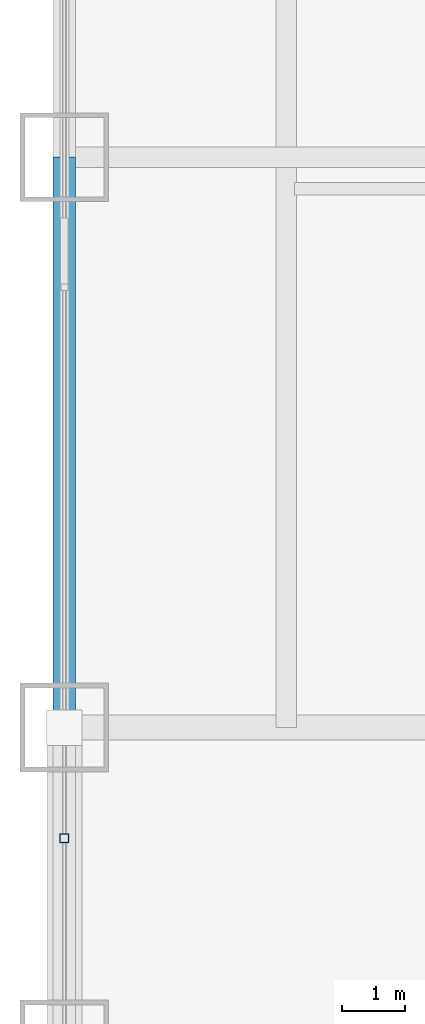
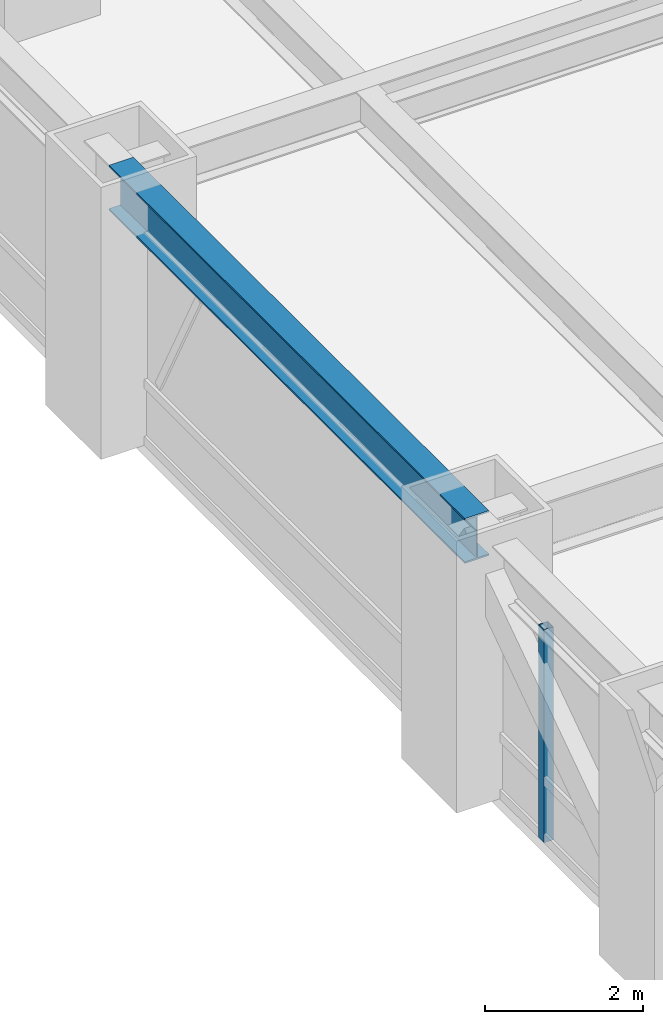
# One storey, part 12 of 28: 1 beam, 1 member, 1 element without a shape of its own.
"""IFC4 building model written with IfcOpenShell, lengths in metres."""

import ifcopenshell
import ifcopenshell.guid

model = None  # the IFC model being written
_history = None  # IfcOwnerHistory: only IFC2X3 demands one
_inside = {}  # id of a spatial element -> (the spatial element, [elements in it])
_under = {}  # id of a project, library or spatial element -> (it, [spatial elements below it])
_declared = {}  # id of a project -> (the project, [libraries it declares])
_typed = {}  # id of a type object -> (the type object, [elements of that type])
_made_of = {}  # id of a material, layer set ... -> (it, [elements and type objects made of it])


def new_model(schema):
    """Start an empty IFC model of exactly this schema.

    Asked for "IFC4X3", IfcOpenShell would pick the latest addendum, in which some entities
    have other attributes; the version numbers below select the first issue.
    IFC2X3 requires an IfcOwnerHistory on every rooted entity: one is made here for all.
    """
    global model, _history
    if schema == "IFC4X3":
        model = ifcopenshell.file(schema_version=(4, 3, 0, 0))
    else:
        model = ifcopenshell.file(schema=schema)
    _inside.clear()
    _under.clear()
    _declared.clear()
    _typed.clear()
    _made_of.clear()
    _history = None
    if model.schema == "IFC2X3":
        org = make("IfcOrganization", Name="unknown")
        user = make(
            "IfcPersonAndOrganization",
            ThePerson=make("IfcPerson", FamilyName="unknown"),
            TheOrganization=org,
        )
        app = make(
            "IfcApplication",
            ApplicationDeveloper=org,
            Version="unknown",
            ApplicationFullName="unknown",
            ApplicationIdentifier="unknown",
        )
        _history = make(
            "IfcOwnerHistory",
            OwningUser=user,
            OwningApplication=app,
            ChangeAction="ADDED",
            CreationDate=0,
        )
    return model


def make(cls, **values):
    """One entity of the class cls with the attributes given. An attribute that is None is left unset."""
    return model.create_entity(
        cls, **{name: value for name, value in values.items() if value is not None}
    )


def rooted(cls, **values):
    """An entity with a GlobalId (a new one), such as an element, a storey or a relation."""
    return make(cls, GlobalId=ifcopenshell.guid.new(), OwnerHistory=_history, **values)


def si_unit(unit_type, name, prefix=None):
    """IfcSIUnit, for example si_unit("LENGTHUNIT", "METRE", prefix="MILLI")."""
    return make("IfcSIUnit", UnitType=unit_type, Prefix=prefix, Name=name)


def assignment(units):
    """IfcUnitAssignment: the units of a project."""
    return None if units is None else make("IfcUnitAssignment", Units=units)


def point(xyz):
    """IfcCartesianPoint."""
    return None if xyz is None else make("IfcCartesianPoint", Coordinates=xyz)


def direction(xyz):
    """IfcDirection."""
    return None if xyz is None else make("IfcDirection", DirectionRatios=xyz)


def frame(location, z_axis=None, x_axis=None):
    """IfcAxis2Placement3D, a coordinate frame: its origin and axes. An axis left out is left unset."""
    return make(
        "IfcAxis2Placement3D",
        Location=point(location),
        Axis=direction(z_axis),
        RefDirection=direction(x_axis),
    )


def frame_2d(location, x_axis=None):
    """IfcAxis2Placement2D, a coordinate frame in the plane: its origin and x axis."""
    return make(
        "IfcAxis2Placement2D", Location=point(location), RefDirection=direction(x_axis)
    )


def origin():
    """The frame at (0, 0, 0) with its axes left unset."""
    return frame((0.0, 0.0, 0.0))


def origin_2d():
    """The frame at (0, 0) in the plane with its x axis left unset."""
    return frame_2d((0.0, 0.0))


def place(relative_to, where):
    """IfcLocalPlacement: puts the frame where relative to a parent placement (None: the world)."""
    return make(
        "IfcLocalPlacement", PlacementRelTo=relative_to, RelativePlacement=where
    )


def context(
    kind, dimensions, precision=None, world=None, true_north=None, identifier=None
):
    """IfcGeometricRepresentationContext, for example the 3D "Model" context."""
    return make(
        "IfcGeometricRepresentationContext",
        ContextIdentifier=identifier,
        ContextType=kind,
        CoordinateSpaceDimension=dimensions,
        Precision=precision,
        WorldCoordinateSystem=world,
        TrueNorth=true_north,
    )


def subcontext(parent, identifier, kind, view, scale=None):
    """IfcGeometricRepresentationSubContext, for example "Body" below "Model"."""
    return make(
        "IfcGeometricRepresentationSubContext",
        ContextIdentifier=identifier,
        ContextType=kind,
        ParentContext=parent,
        TargetScale=scale,
        TargetView=view,
    )


def project(units=None, contexts=None):
    """IfcProject with its units and contexts."""
    return rooted(
        "IfcProject",
        Name="project",
        RepresentationContexts=contexts,
        UnitsInContext=assignment(units),
    )


def spatial(cls, under=None, at=None, **own):
    """A site, building, storey or space (cls), placed at a placement, below another one or the project."""
    s = rooted(cls, ObjectPlacement=at, **own)
    if under is not None:
        _under.setdefault(under.id(), (under, []))[1].append(s)
    return s


def profile(cls, at=None, kind="AREA", **sizes):
    """A parametric profile (cls). Its sizes go by their IFC names, for example OverallWidth=200.0."""
    return make(cls, ProfileType=kind, Position=at, **sizes)


def hollow_rectangle(**sizes):
    """IfcRectangleHollowProfileDef."""
    return profile("IfcRectangleHollowProfileDef", **sizes)


def i_section(**sizes):
    """IfcIShapeProfileDef."""
    return profile("IfcIShapeProfileDef", **sizes)


def extrude(swept, where, along, depth):
    """IfcExtrudedAreaSolid: the profile swept, set in the frame where, extruded along a direction by depth."""
    return make(
        "IfcExtrudedAreaSolid",
        SweptArea=swept,
        Position=where,
        ExtrudedDirection=direction(along),
        Depth=depth,
    )


def shape(context_of_items, identifier, shape_type, items):
    """IfcShapeRepresentation: the items that make up one representation, for example the "Body"."""
    return make(
        "IfcShapeRepresentation",
        ContextOfItems=context_of_items,
        RepresentationIdentifier=identifier,
        RepresentationType=shape_type,
        Items=items,
    )


def source(mapping_origin, context_of_items, identifier, shape_type, items):
    """IfcRepresentationMap: a shape defined once, which mapped items show again and again."""
    return make(
        "IfcRepresentationMap",
        MappingOrigin=mapping_origin,
        MappedRepresentation=shape(context_of_items, identifier, shape_type, items),
    )


def transform(
    local_origin,
    x_axis=None,
    y_axis=None,
    z_axis=None,
    scale=None,
    scale2=None,
    scale3=None,
    uniform=True,
):
    """IfcCartesianTransformationOperator3D, or its non-uniform kind. x_axis, y_axis, z_axis: its Axis1, 2, 3."""
    if uniform:
        return make(
            "IfcCartesianTransformationOperator3D",
            Axis1=direction(x_axis),
            Axis2=direction(y_axis),
            LocalOrigin=point(local_origin),
            Scale=scale,
            Axis3=direction(z_axis),
        )
    return make(
        "IfcCartesianTransformationOperator3DnonUniform",
        Axis1=direction(x_axis),
        Axis2=direction(y_axis),
        LocalOrigin=point(local_origin),
        Scale=scale,
        Axis3=direction(z_axis),
        Scale2=scale2,
        Scale3=scale3,
    )


def mapped(mapping_source, mapping_target):
    """IfcMappedItem: shows the shape of a source again, moved by a transform."""
    return make(
        "IfcMappedItem", MappingSource=mapping_source, MappingTarget=mapping_target
    )


def material(Name=None, Category=None):
    """IfcMaterial."""
    return make("IfcMaterial", Name=Name, Category=Category)


def material_profile(
    of_material, cross_section, Name=None, Category=None, Priority=None
):
    """IfcMaterialProfile: a cross section and its material."""
    return make(
        "IfcMaterialProfile",
        Name=Name,
        Material=of_material,
        Profile=cross_section,
        Priority=Priority,
        Category=Category,
    )


def profile_set(profiles, Name=None, composite=None):
    """IfcMaterialProfileSet."""
    return make(
        "IfcMaterialProfileSet",
        Name=Name,
        MaterialProfiles=profiles,
        CompositeProfile=composite,
    )


def made_of(thing, what):
    """Note that an element or type object is made of a material, layer set ...; save() writes the relation."""
    if what is not None:
        _made_of.setdefault(what.id(), (what, []))[1].append(thing)
    return thing


def type_object(cls, material=None, **own):
    """A type object (cls), such as IfcWallType, which elements share."""
    return made_of(rooted(cls, **own), material)


def element(
    cls,
    number,
    at=None,
    inside=None,
    cuts=None,
    type_object=None,
    material=None,
    context=None,
    identifier="Body",
    shape_type=None,
    held_by="IfcProductDefinitionShape",
    body=None,
    shapes=None,
    **own,
):
    """One element of the class cls, such as IfcWall. Its Tag is "e" and its number.

    at: its placement. inside: the storey or other place that contains it. cuts: it is an
    opening in that element (IfcRelVoidsElement). A single representation is given by context,
    identifier, shape_type and body (its items); several are given by shapes. held_by: the class
    of the entity that holds the representations. save() writes the other relations.
    """
    e = rooted(cls, Tag="e%d" % number, ObjectPlacement=at, **own)
    if body is not None:
        shapes = [shape(context, identifier, shape_type, body)]
    if shapes is not None:
        e.Representation = make(held_by, Representations=shapes)
    if inside is not None:
        _inside.setdefault(inside.id(), (inside, []))[1].append(e)
    if cuts is not None:
        rooted(
            "IfcRelVoidsElement", RelatingBuildingElement=cuts, RelatedOpeningElement=e
        )
    if type_object is not None:
        _typed.setdefault(type_object.id(), (type_object, []))[1].append(e)
    return made_of(e, material)


def aggregate(whole, parts):
    """IfcRelAggregates: a whole, such as a stair, and the parts it consists of."""
    return rooted("IfcRelAggregates", RelatingObject=whole, RelatedObjects=parts)


def save(model, path):
    """Write the relations noted so far, then the file.

    IfcRelAggregates (storeys below a building ...), IfcRelContainedInSpatialStructure (elements
    in a storey), IfcRelDefinesByType, IfcRelAssociatesMaterial and IfcRelDeclares: one each for
    every whole, place, type object, material and project.
    """
    for whole, parts in _under.values():
        aggregate(whole, parts)
    for where, things in _inside.values():
        rooted(
            "IfcRelContainedInSpatialStructure",
            RelatedElements=things,
            RelatingStructure=where,
        )
    for kind, things in _typed.values():
        rooted("IfcRelDefinesByType", RelatedObjects=things, RelatingType=kind)
    for what, things in _made_of.values():
        rooted("IfcRelAssociatesMaterial", RelatedObjects=things, RelatingMaterial=what)
    for by, libraries in _declared.values():
        rooted("IfcRelDeclares", RelatingContext=by, RelatedDefinitions=libraries)
    model.write(path)


model = new_model("IFC4")

# Units and contexts
model_context = context("Model", 3, precision=1e-05, world=origin(), true_north=direction((0.0, 1.0)))
body_context = subcontext(model_context, "Body", "Model", "MODEL_VIEW")
ifc_project = project(units=[si_unit("LENGTHUNIT", "METRE"), si_unit("AREAUNIT", "SQUARE_METRE"), si_unit("VOLUMEUNIT", "CUBIC_METRE"), si_unit("PLANEANGLEUNIT", "RADIAN"), si_unit("MASSUNIT", "GRAM", prefix="KILO")], contexts=[model_context])

# Site, building, storey
site_placement = place(None, origin())
site = spatial("IfcSite", under=ifc_project, at=site_placement, CompositionType="ELEMENT")
building_placement = place(site_placement, origin())
building = spatial("IfcBuilding", under=site, at=building_placement, Name="Khorayat Bourse Tower", CompositionType="ELEMENT")
storey_placement = place(building_placement, frame((0.0, 0.0, 62.0)))
storey = spatial("IfcBuildingStorey", under=building, at=storey_placement, Name="L13", CompositionType="ELEMENT", Elevation=62.0)

# Beam
ifc_material_1 = material(Name="Steel ASTM A992 Grade 50", Category="steel")
ifc_material_profile_1 = material_profile(ifc_material_1, i_section(OverallWidth=0.35498046875, OverallDepth=0.695068359375, WebThickness=0.015380859375, FlangeThickness=0.02490234375, FilletRadius=0.01806640625, at=origin_2d()), Name="W690X217")
ifc_profile_set_1 = profile_set([ifc_material_profile_1], Name="Steel ASTM A992 Grade 50")
beam_type = type_object("IfcBeamType", Name="BM-SPAN-690", PredefinedType="SPANDREL", material=ifc_profile_set_1)
shared_shape_1 = source(origin(), body_context, "Body", "SweptSolid", [
    extrude(i_section(OverallWidth=0.35498046875, OverallDepth=0.695068359375, WebThickness=0.015380859375, FlangeThickness=0.02490234375, FilletRadius=0.01806640625, at=origin_2d()), origin(), (0.0, 0.0, 1.0), 9.0),
])
beam_placement = place(storey_placement, frame((-32.0, 11.0, 3.592529296875), z_axis=(0.0, 1.0, 0.0), x_axis=(-1.0, 0.0, 0.0)))
element("IfcBeam", 1, at=beam_placement, inside=storey, type_object=beam_type, Name="L13 BM-SPAN-690 BM-L13-SPN-055", PredefinedType="SPANDREL", context=body_context, shape_type="MappedRepresentation", body=[
    mapped(shared_shape_1, transform((0.0, 0.0, 0.0), scale=1.0)),
])

# Curtain wall, member
ifc_material_2 = material(Name="Aluminium EN AW-6063 T6", Category="aluminium")
curtain_wall_type = type_object("IfcCurtainWallType", Name="CW-SYS-02", PredefinedType="NOTDEFINED", material=ifc_material_2)
curtain_wall_placement = place(storey_placement, origin())
curtain_wall = element("IfcCurtainWall", 2, at=curtain_wall_placement, inside=storey, type_object=curtain_wall_type, Name="L13 Curtain Wall CW-L13-W1", PredefinedType="NOTDEFINED")
ifc_material_profile_2 = material_profile(ifc_material_2, hollow_rectangle(XDim=0.139892578125, YDim=0.139892578125, WallThickness=0.006103515625, at=origin_2d()), Name="ALU 140x140x6")
ifc_profile_set_2 = profile_set([ifc_material_profile_2], Name="Aluminium EN AW-6063 T6")
member_type = type_object("IfcMemberType", Name="CWM-VERT-140", PredefinedType="MULLION", material=ifc_profile_set_2)
shared_shape_2 = source(origin(), body_context, "Body", "SweptSolid", [
    extrude(hollow_rectangle(XDim=0.139892578125, YDim=0.139892578125, WallThickness=0.006103515625, at=origin_2d()), origin(), (0.0, 0.0, 1.0), 3.2900390625),
])
member_placement = place(storey_placement, frame((-32.0, 9.25, 0.0), z_axis=(0.0, 0.0, 1.0), x_axis=(-1.0, 0.0, 0.0)))
member = element("IfcMember", 3, at=member_placement, type_object=member_type, Name="CW-L13-W1 Vertical Mullion 3", PredefinedType="MULLION", context=body_context, shape_type="MappedRepresentation", body=[
    mapped(shared_shape_2, transform((0.0, 0.0, 0.0), scale=1.0)),
])
aggregate(curtain_wall, [member])

save(model, "model.ifc")
